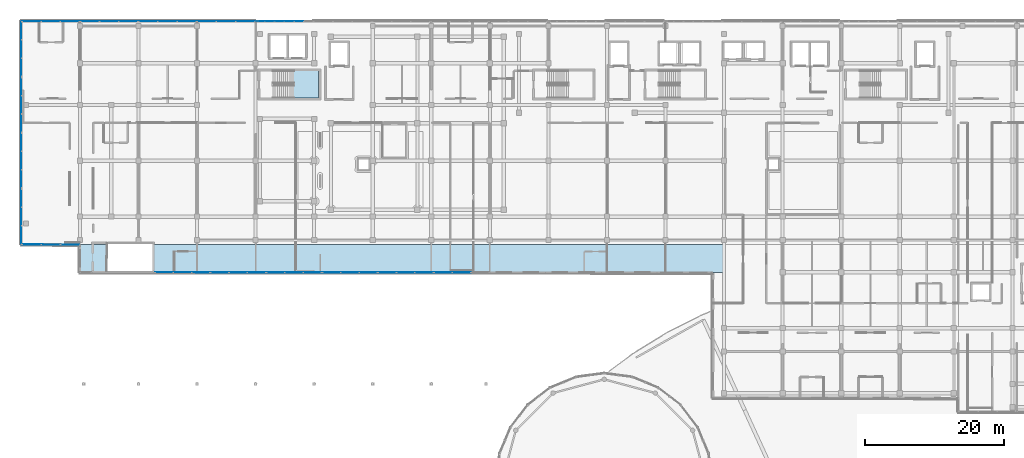
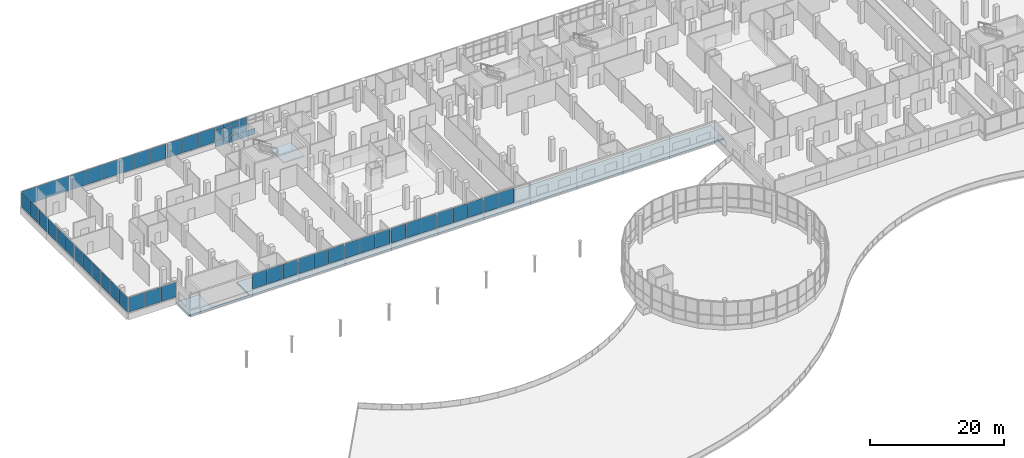
# One storey, part 76 of 101: 57 plates, 2 slabs, 17 elements without a shape of their own.
"""IFC4 building model written with IfcOpenShell, lengths in metres."""

from ifc_helpers import new_model, si_unit, direction, frame, origin, origin_2d, place, context, subcontext, project, spatial, polyline, rectangle, outline, extrude, material, layer, layer_set, type_object, element, aggregate, save


model = new_model("IFC4")

# Units and contexts
model_context = context("Model", 3, precision=1e-05, world=origin(), true_north=direction((0.0, 1.0)))
body_context = subcontext(model_context, "Body", "Model", "MODEL_VIEW")
ifc_project = project(units=[si_unit("LENGTHUNIT", "METRE"), si_unit("AREAUNIT", "SQUARE_METRE"), si_unit("VOLUMEUNIT", "CUBIC_METRE"), si_unit("PLANEANGLEUNIT", "RADIAN"), si_unit("MASSUNIT", "GRAM", prefix="KILO")], contexts=[model_context])

# Site, building, storey
site_placement = place(None, origin())
site = spatial("IfcSite", under=ifc_project, at=site_placement, CompositionType="ELEMENT")
building_placement = place(site_placement, origin())
building = spatial("IfcBuilding", under=site, at=building_placement, Name="Selatvlak General Hospital", CompositionType="ELEMENT")
storey_placement = place(building_placement, frame((0.0, 0.0, 19.199951171875)))
storey = spatial("IfcBuildingStorey", under=building, at=storey_placement, Name="L04", CompositionType="ELEMENT", Elevation=19.199951171875)

# Curtain wall, plates
ifc_material_1 = material(Name="Solar-control Low-E double glazing", Category="glass")
curtain_wall_type_1 = type_object("IfcCurtainWallType", Name="CW-CW-02", PredefinedType="USERDEFINED", material=ifc_material_1)
curtain_wall_1_placement = place(storey_placement, origin())
curtain_wall_1 = element("IfcCurtainWall", 1, at=curtain_wall_1_placement, inside=storey, type_object=curtain_wall_type_1, Name="Glazed facade curtain wall CW-L04-0476", ObjectType="UNITISED CURTAIN WALL", PredefinedType="USERDEFINED")
ifc_layer_1 = layer(ifc_material_1, 0.028076171875, Name="Solar-control Low-E double glazing", Category="glass")
ifc_layer_set_1 = layer_set([ifc_layer_1], Name="Solar-control Low-E double glazing")
plate_type = type_object("IfcPlateType", Name="CWP-01", PredefinedType="CURTAIN_PANEL", material=ifc_layer_set_1)
plate_1_placement = place(storey_placement, frame((14.39990234375, 89.359619140625, 1.0048828125), z_axis=(0.0, 0.0, 1.0), x_axis=(0.0, 1.0, 0.0)))
plate_1 = element("IfcPlate", 2, at=plate_1_placement, type_object=plate_type, Name="CW-02 panel 1.1", PredefinedType="CURTAIN_PANEL", context=body_context, shape_type="SweptSolid", body=[
    extrude(rectangle(XDim=2.55908203125, YDim=0.028076171875, at=origin_2d()), origin(), (0.0, 0.0, 1.0), 2.699951171875),
])
plate_2_placement = place(storey_placement, frame((14.39990234375, 92.0, 1.0048828125), z_axis=(0.0, 0.0, 1.0), x_axis=(0.0, 1.0, 0.0)))
plate_2 = element("IfcPlate", 3, at=plate_2_placement, type_object=plate_type, Name="CW-02 panel 2.1", PredefinedType="CURTAIN_PANEL", context=body_context, shape_type="SweptSolid", body=[
    extrude(rectangle(XDim=2.591552734375, YDim=0.028076171875, at=origin_2d()), origin(), (0.0, 0.0, 1.0), 2.699951171875),
])
plate_3_placement = place(storey_placement, frame((14.39990234375, 94.640380859375, 1.0048828125), z_axis=(0.0, 0.0, 1.0), x_axis=(0.0, 1.0, 0.0)))
plate_3 = element("IfcPlate", 4, at=plate_3_placement, type_object=plate_type, Name="CW-02 panel 3.1", PredefinedType="CURTAIN_PANEL", context=body_context, shape_type="SweptSolid", body=[
    extrude(rectangle(XDim=2.55908203125, YDim=0.028076171875, at=origin_2d()), origin(), (0.0, 0.0, 1.0), 2.699951171875),
])
aggregate(curtain_wall_1, [plate_1, plate_2, plate_3])

curtain_wall_type_2 = type_object("IfcCurtainWallType", Name="CW-CW-01", PredefinedType="USERDEFINED", material=ifc_material_1)
curtain_wall_2_placement = place(storey_placement, origin())
curtain_wall_2 = element("IfcCurtainWall", 5, at=curtain_wall_2_placement, inside=storey, type_object=curtain_wall_type_2, Name="Glazed facade curtain wall CW-L04-0477", ObjectType="UNITISED CURTAIN WALL", PredefinedType="USERDEFINED")
plate_4_placement = place(storey_placement, frame((14.39990234375, 97.401123046875, 1.0048828125), z_axis=(0.0, 0.0, 1.0), x_axis=(0.0, 1.0, 0.0)))
plate_4 = element("IfcPlate", 6, at=plate_4_placement, type_object=plate_type, Name="CW-01 panel 1.1", PredefinedType="CURTAIN_PANEL", context=body_context, shape_type="SweptSolid", body=[
    extrude(rectangle(XDim=2.542236328125, YDim=0.028076171875, at=origin_2d()), origin(), (0.0, 0.0, 1.0), 2.699951171875),
])
plate_5_placement = place(storey_placement, frame((14.39990234375, 100.0244140625, 1.0048828125), z_axis=(0.0, 0.0, 1.0), x_axis=(0.0, 1.0, 0.0)))
plate_5 = element("IfcPlate", 7, at=plate_5_placement, type_object=plate_type, Name="CW-01 panel 2.1", PredefinedType="CURTAIN_PANEL", context=body_context, shape_type="SweptSolid", body=[
    extrude(rectangle(XDim=2.57470703125, YDim=0.028076171875, at=origin_2d()), origin(), (0.0, 0.0, 1.0), 2.699951171875),
])
plate_6_placement = place(storey_placement, frame((14.39990234375, 102.64794921875, 1.0048828125), z_axis=(0.0, 0.0, 1.0), x_axis=(0.0, 1.0, 0.0)))
plate_6 = element("IfcPlate", 8, at=plate_6_placement, type_object=plate_type, Name="CW-01 panel 3.1", PredefinedType="CURTAIN_PANEL", context=body_context, shape_type="SweptSolid", body=[
    extrude(rectangle(XDim=2.542236328125, YDim=0.028076171875, at=origin_2d()), origin(), (0.0, 0.0, 1.0), 2.699951171875),
])
aggregate(curtain_wall_2, [plate_4, plate_5, plate_6])

curtain_wall_3_placement = place(storey_placement, origin())
curtain_wall_3 = element("IfcCurtainWall", 9, at=curtain_wall_3_placement, inside=storey, type_object=curtain_wall_type_1, Name="Glazed facade curtain wall CW-L04-0478", ObjectType="UNITISED CURTAIN WALL", PredefinedType="USERDEFINED")
plate_7_placement = place(storey_placement, frame((14.39990234375, 105.400146484375, 1.0048828125), z_axis=(0.0, 0.0, 1.0), x_axis=(0.0, 1.0, 0.0)))
plate_7 = element("IfcPlate", 10, at=plate_7_placement, type_object=plate_type, Name="CW-02 panel 1.1", PredefinedType="CURTAIN_PANEL", context=body_context, shape_type="SweptSolid", body=[
    extrude(rectangle(XDim=2.54248046875, YDim=0.028076171875, at=origin_2d()), origin(), (0.0, 0.0, 1.0), 2.699951171875),
])
plate_8_placement = place(storey_placement, frame((14.39990234375, 108.02392578125, 1.0048828125), z_axis=(0.0, 0.0, 1.0), x_axis=(0.0, 1.0, 0.0)))
plate_8 = element("IfcPlate", 11, at=plate_8_placement, type_object=plate_type, Name="CW-02 panel 2.1", PredefinedType="CURTAIN_PANEL", context=body_context, shape_type="SweptSolid", body=[
    extrude(rectangle(XDim=2.574951171875, YDim=0.028076171875, at=origin_2d()), origin(), (0.0, 0.0, 1.0), 2.699951171875),
])
plate_9_placement = place(storey_placement, frame((14.39990234375, 110.647705078125, 1.0048828125), z_axis=(0.0, 0.0, 1.0), x_axis=(0.0, 1.0, 0.0)))
plate_9 = element("IfcPlate", 12, at=plate_9_placement, type_object=plate_type, Name="CW-02 panel 3.1", PredefinedType="CURTAIN_PANEL", context=body_context, shape_type="SweptSolid", body=[
    extrude(rectangle(XDim=2.54248046875, YDim=0.028076171875, at=origin_2d()), origin(), (0.0, 0.0, 1.0), 2.699951171875),
])
aggregate(curtain_wall_3, [plate_7, plate_8, plate_9])

curtain_wall_4_placement = place(storey_placement, origin())
curtain_wall_4 = element("IfcCurtainWall", 13, at=curtain_wall_4_placement, inside=storey, type_object=curtain_wall_type_2, Name="Glazed facade curtain wall CW-L04-0479", ObjectType="UNITISED CURTAIN WALL", PredefinedType="USERDEFINED")
plate_10_placement = place(storey_placement, frame((14.39990234375, 113.400146484375, 1.0048828125), z_axis=(0.0, 0.0, 1.0), x_axis=(0.0, 1.0, 0.0)))
plate_10 = element("IfcPlate", 14, at=plate_10_placement, type_object=plate_type, Name="CW-01 panel 1.1", PredefinedType="CURTAIN_PANEL", context=body_context, shape_type="SweptSolid", body=[
    extrude(rectangle(XDim=2.54248046875, YDim=0.028076171875, at=origin_2d()), origin(), (0.0, 0.0, 1.0), 2.699951171875),
])
plate_11_placement = place(storey_placement, frame((14.39990234375, 116.02392578125, 1.0048828125), z_axis=(0.0, 0.0, 1.0), x_axis=(0.0, 1.0, 0.0)))
plate_11 = element("IfcPlate", 15, at=plate_11_placement, type_object=plate_type, Name="CW-01 panel 2.1", PredefinedType="CURTAIN_PANEL", context=body_context, shape_type="SweptSolid", body=[
    extrude(rectangle(XDim=2.574951171875, YDim=0.028076171875, at=origin_2d()), origin(), (0.0, 0.0, 1.0), 2.699951171875),
])
plate_12_placement = place(storey_placement, frame((14.39990234375, 118.647705078125, 1.0048828125), z_axis=(0.0, 0.0, 1.0), x_axis=(0.0, 1.0, 0.0)))
plate_12 = element("IfcPlate", 16, at=plate_12_placement, type_object=plate_type, Name="CW-01 panel 3.1", PredefinedType="CURTAIN_PANEL", context=body_context, shape_type="SweptSolid", body=[
    extrude(rectangle(XDim=2.54248046875, YDim=0.028076171875, at=origin_2d()), origin(), (0.0, 0.0, 1.0), 2.699951171875),
])
aggregate(curtain_wall_4, [plate_10, plate_11, plate_12])

curtain_wall_5_placement = place(storey_placement, origin())
curtain_wall_5 = element("IfcCurtainWall", 17, at=curtain_wall_5_placement, inside=storey, type_object=curtain_wall_type_1, Name="Glazed facade curtain wall CW-L04-0480", ObjectType="UNITISED CURTAIN WALL", PredefinedType="USERDEFINED")
plate_13_placement = place(storey_placement, frame((15.864501953125, 119.9990234375, 1.0048828125), z_axis=(0.0, 0.0, 1.0), x_axis=(1.0, 0.0, 0.0)))
plate_13 = element("IfcPlate", 18, at=plate_13_placement, type_object=plate_type, Name="CW-02 panel 1.1", PredefinedType="CURTAIN_PANEL", context=body_context, shape_type="SweptSolid", body=[
    extrude(rectangle(XDim=2.669189453125, YDim=0.028076171875, at=origin_2d()), origin(), (0.0, 0.0, 1.0), 2.699951171875),
])
plate_14_placement = place(storey_placement, frame((18.614990234375, 119.9990234375, 1.0048828125), z_axis=(0.0, 0.0, 1.0), x_axis=(1.0, 0.0, 0.0)))
plate_14 = element("IfcPlate", 19, at=plate_14_placement, type_object=plate_type, Name="CW-02 panel 2.1", PredefinedType="CURTAIN_PANEL", context=body_context, shape_type="SweptSolid", body=[
    extrude(rectangle(XDim=2.70166015625, YDim=0.028076171875, at=origin_2d()), origin(), (0.0, 0.0, 1.0), 2.699951171875),
])
plate_15_placement = place(storey_placement, frame((21.365478515625, 119.9990234375, 1.0048828125), z_axis=(0.0, 0.0, 1.0), x_axis=(1.0, 0.0, 0.0)))
plate_15 = element("IfcPlate", 20, at=plate_15_placement, type_object=plate_type, Name="CW-02 panel 3.1", PredefinedType="CURTAIN_PANEL", context=body_context, shape_type="SweptSolid", body=[
    extrude(rectangle(XDim=2.669189453125, YDim=0.028076171875, at=origin_2d()), origin(), (0.0, 0.0, 1.0), 2.699951171875),
])
aggregate(curtain_wall_5, [plate_13, plate_14, plate_15])

curtain_wall_6_placement = place(storey_placement, origin())
curtain_wall_6 = element("IfcCurtainWall", 21, at=curtain_wall_6_placement, inside=storey, type_object=curtain_wall_type_2, Name="Glazed facade curtain wall CW-L04-0481", ObjectType="UNITISED CURTAIN WALL", PredefinedType="USERDEFINED")
plate_16_placement = place(storey_placement, frame((24.24462890625, 119.9990234375, 1.0048828125), z_axis=(0.0, 0.0, 1.0), x_axis=(1.0, 0.0, 0.0)))
plate_16 = element("IfcPlate", 22, at=plate_16_placement, type_object=plate_type, Name="CW-01 panel 1.1", PredefinedType="CURTAIN_PANEL", context=body_context, shape_type="SweptSolid", body=[
    extrude(rectangle(XDim=2.669189453125, YDim=0.028076171875, at=origin_2d()), origin(), (0.0, 0.0, 1.0), 2.699951171875),
])
plate_17_placement = place(storey_placement, frame((26.9951171875, 119.9990234375, 1.0048828125), z_axis=(0.0, 0.0, 1.0), x_axis=(1.0, 0.0, 0.0)))
plate_17 = element("IfcPlate", 23, at=plate_17_placement, type_object=plate_type, Name="CW-01 panel 2.1", PredefinedType="CURTAIN_PANEL", context=body_context, shape_type="SweptSolid", body=[
    extrude(rectangle(XDim=2.70166015625, YDim=0.028076171875, at=origin_2d()), origin(), (0.0, 0.0, 1.0), 2.699951171875),
])
plate_18_placement = place(storey_placement, frame((29.745361328125, 119.9990234375, 1.0048828125), z_axis=(0.0, 0.0, 1.0), x_axis=(1.0, 0.0, 0.0)))
plate_18 = element("IfcPlate", 24, at=plate_18_placement, type_object=plate_type, Name="CW-01 panel 3.1", PredefinedType="CURTAIN_PANEL", context=body_context, shape_type="SweptSolid", body=[
    extrude(rectangle(XDim=2.669189453125, YDim=0.028076171875, at=origin_2d()), origin(), (0.0, 0.0, 1.0), 2.699951171875),
])
aggregate(curtain_wall_6, [plate_16, plate_17, plate_18])

curtain_wall_7_placement = place(storey_placement, origin())
curtain_wall_7 = element("IfcCurtainWall", 25, at=curtain_wall_7_placement, inside=storey, type_object=curtain_wall_type_1, Name="Glazed facade curtain wall CW-L04-0482", ObjectType="UNITISED CURTAIN WALL", PredefinedType="USERDEFINED")
plate_19_placement = place(storey_placement, frame((32.62451171875, 119.9990234375, 1.0048828125), z_axis=(0.0, 0.0, 1.0), x_axis=(1.0, 0.0, 0.0)))
plate_19 = element("IfcPlate", 26, at=plate_19_placement, type_object=plate_type, Name="CW-02 panel 1.1", PredefinedType="CURTAIN_PANEL", context=body_context, shape_type="SweptSolid", body=[
    extrude(rectangle(XDim=2.669189453125, YDim=0.028076171875, at=origin_2d()), origin(), (0.0, 0.0, 1.0), 2.699951171875),
])
plate_20_placement = place(storey_placement, frame((35.375, 119.9990234375, 1.0048828125), z_axis=(0.0, 0.0, 1.0), x_axis=(1.0, 0.0, 0.0)))
plate_20 = element("IfcPlate", 27, at=plate_20_placement, type_object=plate_type, Name="CW-02 panel 2.1", PredefinedType="CURTAIN_PANEL", context=body_context, shape_type="SweptSolid", body=[
    extrude(rectangle(XDim=2.70166015625, YDim=0.028076171875, at=origin_2d()), origin(), (0.0, 0.0, 1.0), 2.699951171875),
])
plate_21_placement = place(storey_placement, frame((38.12548828125, 119.9990234375, 1.0048828125), z_axis=(0.0, 0.0, 1.0), x_axis=(1.0, 0.0, 0.0)))
plate_21 = element("IfcPlate", 28, at=plate_21_placement, type_object=plate_type, Name="CW-02 panel 3.1", PredefinedType="CURTAIN_PANEL", context=body_context, shape_type="SweptSolid", body=[
    extrude(rectangle(XDim=2.669189453125, YDim=0.028076171875, at=origin_2d()), origin(), (0.0, 0.0, 1.0), 2.699951171875),
])
aggregate(curtain_wall_7, [plate_19, plate_20, plate_21])

curtain_wall_8_placement = place(storey_placement, origin())
curtain_wall_8 = element("IfcCurtainWall", 29, at=curtain_wall_8_placement, inside=storey, type_object=curtain_wall_type_2, Name="Glazed facade curtain wall CW-L04-0483", ObjectType="UNITISED CURTAIN WALL", PredefinedType="USERDEFINED")
plate_22_placement = place(storey_placement, frame((41.004638671875, 119.9990234375, 1.0048828125), z_axis=(0.0, 0.0, 1.0), x_axis=(1.0, 0.0, 0.0)))
plate_22 = element("IfcPlate", 30, at=plate_22_placement, type_object=plate_type, Name="CW-01 panel 1.1", PredefinedType="CURTAIN_PANEL", context=body_context, shape_type="SweptSolid", body=[
    extrude(rectangle(XDim=2.669189453125, YDim=0.028076171875, at=origin_2d()), origin(), (0.0, 0.0, 1.0), 2.699951171875),
])
plate_23_placement = place(storey_placement, frame((43.7548828125, 119.9990234375, 1.0048828125), z_axis=(0.0, 0.0, 1.0), x_axis=(1.0, 0.0, 0.0)))
plate_23 = element("IfcPlate", 31, at=plate_23_placement, type_object=plate_type, Name="CW-01 panel 2.1", PredefinedType="CURTAIN_PANEL", context=body_context, shape_type="SweptSolid", body=[
    extrude(rectangle(XDim=2.70166015625, YDim=0.028076171875, at=origin_2d()), origin(), (0.0, 0.0, 1.0), 2.699951171875),
])
plate_24_placement = place(storey_placement, frame((46.50537109375, 119.9990234375, 1.0048828125), z_axis=(0.0, 0.0, 1.0), x_axis=(1.0, 0.0, 0.0)))
plate_24 = element("IfcPlate", 32, at=plate_24_placement, type_object=plate_type, Name="CW-01 panel 3.1", PredefinedType="CURTAIN_PANEL", context=body_context, shape_type="SweptSolid", body=[
    extrude(rectangle(XDim=2.669189453125, YDim=0.028076171875, at=origin_2d()), origin(), (0.0, 0.0, 1.0), 2.699951171875),
])
aggregate(curtain_wall_8, [plate_22, plate_23, plate_24])

curtain_wall_type_3 = type_object("IfcCurtainWallType", Name="CW-CW-04", PredefinedType="USERDEFINED", material=ifc_material_1)
curtain_wall_9_placement = place(storey_placement, origin())
curtain_wall_9 = element("IfcCurtainWall", 33, at=curtain_wall_9_placement, inside=storey, type_object=curtain_wall_type_3, Name="Glazed facade curtain wall CW-L04-0484", ObjectType="STICK GLAZING WALL", PredefinedType="USERDEFINED")
plate_25_placement = place(storey_placement, frame((48.64697265625, 119.9990234375, 0.06494140625), z_axis=(0.0, 0.0, 1.0), x_axis=(1.0, 0.0, 0.0)))
plate_25 = element("IfcPlate", 34, at=plate_25_placement, type_object=plate_type, Name="CW-04 panel 1.1", PredefinedType="CURTAIN_PANEL", context=body_context, shape_type="SweptSolid", body=[
    extrude(rectangle(XDim=1.294189453125, YDim=0.028076171875, at=origin_2d()), origin(), (0.0, 0.0, 1.0), 1.1025390625),
])
plate_26_placement = place(storey_placement, frame((48.64697265625, 119.9990234375, 1.232421875), z_axis=(0.0, 0.0, 1.0), x_axis=(1.0, 0.0, 0.0)))
plate_26 = element("IfcPlate", 35, at=plate_26_placement, type_object=plate_type, Name="CW-04 panel 1.2", PredefinedType="CURTAIN_PANEL", context=body_context, shape_type="SweptSolid", body=[
    extrude(rectangle(XDim=1.294189453125, YDim=0.028076171875, at=origin_2d()), origin(), (0.0, 0.0, 1.0), 1.705078125),
])
plate_27_placement = place(storey_placement, frame((48.64697265625, 119.9990234375, 3.00244140625), z_axis=(0.0, 0.0, 1.0), x_axis=(1.0, 0.0, 0.0)))
plate_27 = element("IfcPlate", 36, at=plate_27_placement, type_object=plate_type, Name="CW-04 panel 1.3", PredefinedType="CURTAIN_PANEL", context=body_context, shape_type="SweptSolid", body=[
    extrude(rectangle(XDim=1.294189453125, YDim=0.028076171875, at=origin_2d()), origin(), (0.0, 0.0, 1.0), 0.702392578125),
])
plate_28_placement = place(storey_placement, frame((50.0224609375, 119.9990234375, 0.06494140625), z_axis=(0.0, 0.0, 1.0), x_axis=(1.0, 0.0, 0.0)))
plate_28 = element("IfcPlate", 37, at=plate_28_placement, type_object=plate_type, Name="CW-04 panel 2.1", PredefinedType="CURTAIN_PANEL", context=body_context, shape_type="SweptSolid", body=[
    extrude(rectangle(XDim=1.32666015625, YDim=0.028076171875, at=origin_2d()), origin(), (0.0, 0.0, 1.0), 1.1025390625),
])
plate_29_placement = place(storey_placement, frame((50.0224609375, 119.9990234375, 1.232421875), z_axis=(0.0, 0.0, 1.0), x_axis=(1.0, 0.0, 0.0)))
plate_29 = element("IfcPlate", 38, at=plate_29_placement, type_object=plate_type, Name="CW-04 panel 2.2", PredefinedType="CURTAIN_PANEL", context=body_context, shape_type="SweptSolid", body=[
    extrude(rectangle(XDim=1.32666015625, YDim=0.028076171875, at=origin_2d()), origin(), (0.0, 0.0, 1.0), 1.705078125),
])
plate_30_placement = place(storey_placement, frame((50.0224609375, 119.9990234375, 3.00244140625), z_axis=(0.0, 0.0, 1.0), x_axis=(1.0, 0.0, 0.0)))
plate_30 = element("IfcPlate", 39, at=plate_30_placement, type_object=plate_type, Name="CW-04 panel 2.3", PredefinedType="CURTAIN_PANEL", context=body_context, shape_type="SweptSolid", body=[
    extrude(rectangle(XDim=1.32666015625, YDim=0.028076171875, at=origin_2d()), origin(), (0.0, 0.0, 1.0), 0.702392578125),
])
plate_31_placement = place(storey_placement, frame((51.4140625, 119.9990234375, 0.06494140625), z_axis=(0.0, 0.0, 1.0), x_axis=(1.0, 0.0, 0.0)))
plate_31 = element("IfcPlate", 40, at=plate_31_placement, type_object=plate_type, Name="CW-04 panel 3.1", PredefinedType="CURTAIN_PANEL", context=body_context, shape_type="SweptSolid", body=[
    extrude(rectangle(XDim=1.32666015625, YDim=0.028076171875, at=origin_2d()), origin(), (0.0, 0.0, 1.0), 1.1025390625),
])
plate_32_placement = place(storey_placement, frame((51.4140625, 119.9990234375, 1.232421875), z_axis=(0.0, 0.0, 1.0), x_axis=(1.0, 0.0, 0.0)))
plate_32 = element("IfcPlate", 41, at=plate_32_placement, type_object=plate_type, Name="CW-04 panel 3.2", PredefinedType="CURTAIN_PANEL", context=body_context, shape_type="SweptSolid", body=[
    extrude(rectangle(XDim=1.32666015625, YDim=0.028076171875, at=origin_2d()), origin(), (0.0, 0.0, 1.0), 1.705078125),
])
plate_33_placement = place(storey_placement, frame((51.4140625, 119.9990234375, 3.00244140625), z_axis=(0.0, 0.0, 1.0), x_axis=(1.0, 0.0, 0.0)))
plate_33 = element("IfcPlate", 42, at=plate_33_placement, type_object=plate_type, Name="CW-04 panel 3.3", PredefinedType="CURTAIN_PANEL", context=body_context, shape_type="SweptSolid", body=[
    extrude(rectangle(XDim=1.32666015625, YDim=0.028076171875, at=origin_2d()), origin(), (0.0, 0.0, 1.0), 0.702392578125),
])
plate_34_placement = place(storey_placement, frame((52.805908203125, 119.9990234375, 0.06494140625), z_axis=(0.0, 0.0, 1.0), x_axis=(1.0, 0.0, 0.0)))
plate_34 = element("IfcPlate", 43, at=plate_34_placement, type_object=plate_type, Name="CW-04 panel 4.1", PredefinedType="CURTAIN_PANEL", context=body_context, shape_type="SweptSolid", body=[
    extrude(rectangle(XDim=1.32666015625, YDim=0.028076171875, at=origin_2d()), origin(), (0.0, 0.0, 1.0), 1.1025390625),
])
plate_35_placement = place(storey_placement, frame((52.805908203125, 119.9990234375, 1.232421875), z_axis=(0.0, 0.0, 1.0), x_axis=(1.0, 0.0, 0.0)))
plate_35 = element("IfcPlate", 44, at=plate_35_placement, type_object=plate_type, Name="CW-04 panel 4.2", PredefinedType="CURTAIN_PANEL", context=body_context, shape_type="SweptSolid", body=[
    extrude(rectangle(XDim=1.32666015625, YDim=0.028076171875, at=origin_2d()), origin(), (0.0, 0.0, 1.0), 1.705078125),
])
plate_36_placement = place(storey_placement, frame((52.805908203125, 119.9990234375, 3.00244140625), z_axis=(0.0, 0.0, 1.0), x_axis=(1.0, 0.0, 0.0)))
plate_36 = element("IfcPlate", 45, at=plate_36_placement, type_object=plate_type, Name="CW-04 panel 4.3", PredefinedType="CURTAIN_PANEL", context=body_context, shape_type="SweptSolid", body=[
    extrude(rectangle(XDim=1.32666015625, YDim=0.028076171875, at=origin_2d()), origin(), (0.0, 0.0, 1.0), 0.702392578125),
])
plate_37_placement = place(storey_placement, frame((54.197509765625, 119.9990234375, 0.06494140625), z_axis=(0.0, 0.0, 1.0), x_axis=(1.0, 0.0, 0.0)))
plate_37 = element("IfcPlate", 46, at=plate_37_placement, type_object=plate_type, Name="CW-04 panel 5.1", PredefinedType="CURTAIN_PANEL", context=body_context, shape_type="SweptSolid", body=[
    extrude(rectangle(XDim=1.32666015625, YDim=0.028076171875, at=origin_2d()), origin(), (0.0, 0.0, 1.0), 1.1025390625),
])
aggregate(curtain_wall_9, [plate_25, plate_26, plate_27, plate_28, plate_29, plate_30, plate_31, plate_32, plate_33, plate_34, plate_35, plate_36, plate_37])

curtain_wall_10_placement = place(storey_placement, origin())
curtain_wall_10 = element("IfcCurtainWall", 47, at=curtain_wall_10_placement, inside=storey, type_object=curtain_wall_type_1, Name="Glazed facade curtain wall CW-L04-0511", ObjectType="UNITISED CURTAIN WALL", PredefinedType="USERDEFINED")
plate_38_placement = place(storey_placement, frame((77.56396484375, 83.96337890625, 1.0048828125), z_axis=(0.0, 0.0, 1.0), x_axis=(-0.999999803609, 0.000626723363, 0.0)))
plate_38 = element("IfcPlate", 48, at=plate_38_placement, type_object=plate_type, Name="CW-02 panel 2.1", PredefinedType="CURTAIN_PANEL", context=body_context, shape_type="SweptSolid", body=[
    extrude(rectangle(XDim=2.59423828125, YDim=0.028076171875, at=origin_2d()), origin(), (0.0, 0.0, 1.0), 2.699951171875),
])
plate_39_placement = place(storey_placement, frame((74.9208984375, 83.965087890625, 1.0048828125), z_axis=(0.0, 0.0, 1.0), x_axis=(-0.999999803609, 0.000626723363, 0.0)))
plate_39 = element("IfcPlate", 49, at=plate_39_placement, type_object=plate_type, Name="CW-02 panel 3.1", PredefinedType="CURTAIN_PANEL", context=body_context, shape_type="SweptSolid", body=[
    extrude(rectangle(XDim=2.561767578125, YDim=0.028076171875, at=origin_2d()), origin(), (0.0, 0.0, 1.0), 2.699951171875),
])
aggregate(curtain_wall_10, [plate_38, plate_39])

curtain_wall_11_placement = place(storey_placement, origin())
curtain_wall_11 = element("IfcCurtainWall", 50, at=curtain_wall_11_placement, inside=storey, type_object=curtain_wall_type_2, Name="Glazed facade curtain wall CW-L04-0512", ObjectType="UNITISED CURTAIN WALL", PredefinedType="USERDEFINED")
plate_40_placement = place(storey_placement, frame((72.157470703125, 83.967041015625, 1.0048828125), z_axis=(0.0, 0.0, 1.0), x_axis=(-0.999999713618, 0.000756811082, 0.0)))
plate_40 = element("IfcPlate", 51, at=plate_40_placement, type_object=plate_type, Name="CW-01 panel 1.1", PredefinedType="CURTAIN_PANEL", context=body_context, shape_type="SweptSolid", body=[
    extrude(rectangle(XDim=2.545166015625, YDim=0.028076171875, at=origin_2d()), origin(), (0.0, 0.0, 1.0), 2.699951171875),
])
plate_41_placement = place(storey_placement, frame((69.531005859375, 83.968994140625, 1.0048828125), z_axis=(0.0, 0.0, 1.0), x_axis=(-0.999999713618, 0.000756811082, 0.0)))
plate_41 = element("IfcPlate", 52, at=plate_41_placement, type_object=plate_type, Name="CW-01 panel 2.1", PredefinedType="CURTAIN_PANEL", context=body_context, shape_type="SweptSolid", body=[
    extrude(rectangle(XDim=2.57763671875, YDim=0.028076171875, at=origin_2d()), origin(), (0.0, 0.0, 1.0), 2.699951171875),
])
plate_42_placement = place(storey_placement, frame((66.904541015625, 83.970947265625, 1.0048828125), z_axis=(0.0, 0.0, 1.0), x_axis=(-0.999999713618, 0.000756811082, 0.0)))
plate_42 = element("IfcPlate", 53, at=plate_42_placement, type_object=plate_type, Name="CW-01 panel 3.1", PredefinedType="CURTAIN_PANEL", context=body_context, shape_type="SweptSolid", body=[
    extrude(rectangle(XDim=2.545166015625, YDim=0.028076171875, at=origin_2d()), origin(), (0.0, 0.0, 1.0), 2.699951171875),
])
aggregate(curtain_wall_11, [plate_40, plate_41, plate_42])

curtain_wall_12_placement = place(storey_placement, origin())
curtain_wall_12 = element("IfcCurtainWall", 54, at=curtain_wall_12_placement, inside=storey, type_object=curtain_wall_type_1, Name="Glazed facade curtain wall CW-L04-0513", ObjectType="UNITISED CURTAIN WALL", PredefinedType="USERDEFINED")
plate_43_placement = place(storey_placement, frame((64.1494140625, 83.972900390625, 1.0048828125), z_axis=(0.0, 0.0, 1.0), x_axis=(-0.999999801124, 0.000630675957, 0.0)))
plate_43 = element("IfcPlate", 55, at=plate_43_placement, type_object=plate_type, Name="CW-02 panel 1.1", PredefinedType="CURTAIN_PANEL", context=body_context, shape_type="SweptSolid", body=[
    extrude(rectangle(XDim=2.545166015625, YDim=0.028076171875, at=origin_2d()), origin(), (0.0, 0.0, 1.0), 2.699951171875),
])
plate_44_placement = place(storey_placement, frame((61.52294921875, 83.974609375, 1.0048828125), z_axis=(0.0, 0.0, 1.0), x_axis=(-0.999999801124, 0.000630675957, 0.0)))
plate_44 = element("IfcPlate", 56, at=plate_44_placement, type_object=plate_type, Name="CW-02 panel 2.1", PredefinedType="CURTAIN_PANEL", context=body_context, shape_type="SweptSolid", body=[
    extrude(rectangle(XDim=2.57763671875, YDim=0.028076171875, at=origin_2d()), origin(), (0.0, 0.0, 1.0), 2.699951171875),
])
plate_45_placement = place(storey_placement, frame((58.896484375, 83.97607421875, 1.0048828125), z_axis=(0.0, 0.0, 1.0), x_axis=(-0.999999801124, 0.000630675957, 0.0)))
plate_45 = element("IfcPlate", 57, at=plate_45_placement, type_object=plate_type, Name="CW-02 panel 3.1", PredefinedType="CURTAIN_PANEL", context=body_context, shape_type="SweptSolid", body=[
    extrude(rectangle(XDim=2.545166015625, YDim=0.028076171875, at=origin_2d()), origin(), (0.0, 0.0, 1.0), 2.699951171875),
])
aggregate(curtain_wall_12, [plate_43, plate_44, plate_45])

curtain_wall_13_placement = place(storey_placement, origin())
curtain_wall_13 = element("IfcCurtainWall", 58, at=curtain_wall_13_placement, inside=storey, type_object=curtain_wall_type_2, Name="Glazed facade curtain wall CW-L04-0514", ObjectType="UNITISED CURTAIN WALL", PredefinedType="USERDEFINED")
plate_46_placement = place(storey_placement, frame((56.141357421875, 83.977783203125, 1.0048828125), z_axis=(0.0, 0.0, 1.0), x_axis=(-0.999999801124, 0.000630675957, 0.0)))
plate_46 = element("IfcPlate", 59, at=plate_46_placement, type_object=plate_type, Name="CW-01 panel 1.1", PredefinedType="CURTAIN_PANEL", context=body_context, shape_type="SweptSolid", body=[
    extrude(rectangle(XDim=2.545166015625, YDim=0.028076171875, at=origin_2d()), origin(), (0.0, 0.0, 1.0), 2.699951171875),
])
plate_47_placement = place(storey_placement, frame((53.514892578125, 83.9794921875, 1.0048828125), z_axis=(0.0, 0.0, 1.0), x_axis=(-0.999999801124, 0.000630675957, 0.0)))
plate_47 = element("IfcPlate", 60, at=plate_47_placement, type_object=plate_type, Name="CW-01 panel 2.1", PredefinedType="CURTAIN_PANEL", context=body_context, shape_type="SweptSolid", body=[
    extrude(rectangle(XDim=2.57763671875, YDim=0.028076171875, at=origin_2d()), origin(), (0.0, 0.0, 1.0), 2.699951171875),
])
plate_48_placement = place(storey_placement, frame((50.888671875, 83.981201171875, 1.0048828125), z_axis=(0.0, 0.0, 1.0), x_axis=(-0.999999801124, 0.000630675957, 0.0)))
plate_48 = element("IfcPlate", 61, at=plate_48_placement, type_object=plate_type, Name="CW-01 panel 3.1", PredefinedType="CURTAIN_PANEL", context=body_context, shape_type="SweptSolid", body=[
    extrude(rectangle(XDim=2.545166015625, YDim=0.028076171875, at=origin_2d()), origin(), (0.0, 0.0, 1.0), 2.699951171875),
])
aggregate(curtain_wall_13, [plate_46, plate_47, plate_48])

curtain_wall_14_placement = place(storey_placement, origin())
curtain_wall_14 = element("IfcCurtainWall", 62, at=curtain_wall_14_placement, inside=storey, type_object=curtain_wall_type_1, Name="Glazed facade curtain wall CW-L04-0515", ObjectType="UNITISED CURTAIN WALL", PredefinedType="USERDEFINED")
plate_49_placement = place(storey_placement, frame((48.13330078125, 83.98291015625, 1.0048828125), z_axis=(0.0, 0.0, 1.0), x_axis=(-0.999999713618, 0.000756811082, 0.0)))
plate_49 = element("IfcPlate", 63, at=plate_49_placement, type_object=plate_type, Name="CW-02 panel 1.1", PredefinedType="CURTAIN_PANEL", context=body_context, shape_type="SweptSolid", body=[
    extrude(rectangle(XDim=2.545166015625, YDim=0.028076171875, at=origin_2d()), origin(), (0.0, 0.0, 1.0), 2.699951171875),
])
plate_50_placement = place(storey_placement, frame((45.507080078125, 83.985107421875, 1.0048828125), z_axis=(0.0, 0.0, 1.0), x_axis=(-0.999999713618, 0.000756811082, 0.0)))
plate_50 = element("IfcPlate", 64, at=plate_50_placement, type_object=plate_type, Name="CW-02 panel 2.1", PredefinedType="CURTAIN_PANEL", context=body_context, shape_type="SweptSolid", body=[
    extrude(rectangle(XDim=2.57763671875, YDim=0.028076171875, at=origin_2d()), origin(), (0.0, 0.0, 1.0), 2.699951171875),
])
plate_51_placement = place(storey_placement, frame((42.880615234375, 83.987060546875, 1.0048828125), z_axis=(0.0, 0.0, 1.0), x_axis=(-0.999999713618, 0.000756811082, 0.0)))
plate_51 = element("IfcPlate", 65, at=plate_51_placement, type_object=plate_type, Name="CW-02 panel 3.1", PredefinedType="CURTAIN_PANEL", context=body_context, shape_type="SweptSolid", body=[
    extrude(rectangle(XDim=2.545166015625, YDim=0.028076171875, at=origin_2d()), origin(), (0.0, 0.0, 1.0), 2.699951171875),
])
aggregate(curtain_wall_14, [plate_49, plate_50, plate_51])

curtain_wall_15_placement = place(storey_placement, origin())
curtain_wall_15 = element("IfcCurtainWall", 66, at=curtain_wall_15_placement, inside=storey, type_object=curtain_wall_type_2, Name="Glazed facade curtain wall CW-L04-0516", ObjectType="UNITISED CURTAIN WALL", PredefinedType="USERDEFINED")
plate_52_placement = place(storey_placement, frame((40.12548828125, 83.98876953125, 1.0048828125), z_axis=(0.0, 0.0, 1.0), x_axis=(-0.999999801124, 0.000630675957, 0.0)))
plate_52 = element("IfcPlate", 67, at=plate_52_placement, type_object=plate_type, Name="CW-01 panel 1.1", PredefinedType="CURTAIN_PANEL", context=body_context, shape_type="SweptSolid", body=[
    extrude(rectangle(XDim=2.545166015625, YDim=0.028076171875, at=origin_2d()), origin(), (0.0, 0.0, 1.0), 2.699951171875),
])
plate_53_placement = place(storey_placement, frame((37.4990234375, 83.990478515625, 1.0048828125), z_axis=(0.0, 0.0, 1.0), x_axis=(-0.999999801124, 0.000630675957, 0.0)))
plate_53 = element("IfcPlate", 68, at=plate_53_placement, type_object=plate_type, Name="CW-01 panel 2.1", PredefinedType="CURTAIN_PANEL", context=body_context, shape_type="SweptSolid", body=[
    extrude(rectangle(XDim=2.57763671875, YDim=0.028076171875, at=origin_2d()), origin(), (0.0, 0.0, 1.0), 2.699951171875),
])
plate_54_placement = place(storey_placement, frame((34.87255859375, 83.9921875, 1.0048828125), z_axis=(0.0, 0.0, 1.0), x_axis=(-0.999999801124, 0.000630675957, 0.0)))
plate_54 = element("IfcPlate", 69, at=plate_54_placement, type_object=plate_type, Name="CW-01 panel 3.1", PredefinedType="CURTAIN_PANEL", context=body_context, shape_type="SweptSolid", body=[
    extrude(rectangle(XDim=2.545166015625, YDim=0.028076171875, at=origin_2d()), origin(), (0.0, 0.0, 1.0), 2.699951171875),
])
aggregate(curtain_wall_15, [plate_52, plate_53, plate_54])

curtain_wall_16_placement = place(storey_placement, origin())
curtain_wall_16 = element("IfcCurtainWall", 70, at=curtain_wall_16_placement, inside=storey, type_object=curtain_wall_type_1, Name="Glazed facade curtain wall CW-L04-0518", ObjectType="UNITISED CURTAIN WALL", PredefinedType="USERDEFINED")
plate_55_placement = place(storey_placement, frame((21.382080078125, 87.9501953125, 1.0048828125), z_axis=(0.0, 0.0, 1.0), x_axis=(-0.999973997871, 0.007211350946, 0.0)))
plate_55 = element("IfcPlate", 71, at=plate_55_placement, type_object=plate_type, Name="CW-02 panel 1.1", PredefinedType="CURTAIN_PANEL", context=body_context, shape_type="SweptSolid", body=[
    extrude(rectangle(XDim=2.676025390625, YDim=0.028076171875, at=origin_2d()), origin(), (0.0, 0.0, 1.0), 2.699951171875),
])
plate_56_placement = place(storey_placement, frame((18.625, 87.969970703125, 1.0048828125), z_axis=(0.0, 0.0, 1.0), x_axis=(-0.999973997871, 0.007211350946, 0.0)))
plate_56 = element("IfcPlate", 72, at=plate_56_placement, type_object=plate_type, Name="CW-02 panel 2.1", PredefinedType="CURTAIN_PANEL", context=body_context, shape_type="SweptSolid", body=[
    extrude(rectangle(XDim=2.70849609375, YDim=0.028076171875, at=origin_2d()), origin(), (0.0, 0.0, 1.0), 2.699951171875),
])
plate_57_placement = place(storey_placement, frame((15.867919921875, 87.989990234375, 1.0048828125), z_axis=(0.0, 0.0, 1.0), x_axis=(-0.999973997871, 0.007211350946, 0.0)))
plate_57 = element("IfcPlate", 73, at=plate_57_placement, type_object=plate_type, Name="CW-02 panel 3.1", PredefinedType="CURTAIN_PANEL", context=body_context, shape_type="SweptSolid", body=[
    extrude(rectangle(XDim=2.676025390625, YDim=0.028076171875, at=origin_2d()), origin(), (0.0, 0.0, 1.0), 2.699951171875),
])
aggregate(curtain_wall_16, [plate_55, plate_56, plate_57])

# Stair, slab
ifc_material_2 = material(Name="Precast concrete C40/50", Category="concrete")
stair_type = type_object("IfcStairType", Name="STAIR-ST-01", PredefinedType="HALF_TURN_STAIR", material=ifc_material_2)
stair_placement = place(storey_placement, origin())
stair = element("IfcStair", 74, at=stair_placement, inside=storey, type_object=stair_type, Name="L04 Protected exit stair ST-01", PredefinedType="HALF_TURN_STAIR")
ifc_material_3 = material(Name="Concrete C40/50", Category="concrete")
ifc_layer_2 = layer(ifc_material_3, 0.199951171875, Name="Concrete C40/50", Category="concrete")
ifc_layer_set_2 = layer_set([ifc_layer_2], Name="Concrete C40/50")
slab_type_1 = type_object("IfcSlabType", Name="SLAB-LND1", PredefinedType="LANDING", material=ifc_layer_set_2)
slab_1_placement = place(storey_placement, frame((0.0, 0.0, 1.824951171875)))
slab_1 = element("IfcSlab", 75, at=slab_1_placement, type_object=slab_type_1, Name="ST-01 landing 1", PredefinedType="LANDING", context=body_context, shape_type="SweptSolid", body=[
    extrude(outline(polyline([(53.465087890625, 109.0), (57.050048828125, 109.0), (57.050048828125, 112.93994140625), (53.465087890625, 112.93994140625), (53.465087890625, 109.0)])), origin(), (0.0, 0.0, 1.0), 0.2001953125),
])
aggregate(stair, [slab_1])

# Slab
ifc_layer_3 = layer(ifc_material_3, 0.304931640625, Name="Concrete C40/50", Category="concrete")
ifc_layer_set_3 = layer_set([ifc_layer_3], Name="Concrete C40/50")
slab_type_2 = type_object("IfcSlabType", Name="SLAB-SL-FL4", PredefinedType="FLOOR", material=ifc_layer_set_3)
slab_2_placement = place(storey_placement, frame((0.0, 0.0, -0.304931640625)))
element("IfcSlab", 76, at=slab_2_placement, inside=storey, type_object=slab_type_2, Name="L04 V3S structural slab", PredefinedType="FLOOR", context=body_context, shape_type="SweptSolid", body=[
    extrude(outline(polyline([(26.705078125, 88.0), (26.705078125, 84.199951171875), (33.199951171875, 84.199951171875), (33.199951171875, 88.0), (115.199951171875, 88.0), (115.199951171875, 84.0), (22.800048828125, 84.0), (22.800048828125, 88.0), (26.705078125, 88.0)])), origin(), (0.0, 0.0, 1.0), 0.304931640625),
])

save(model, "model.ifc")
